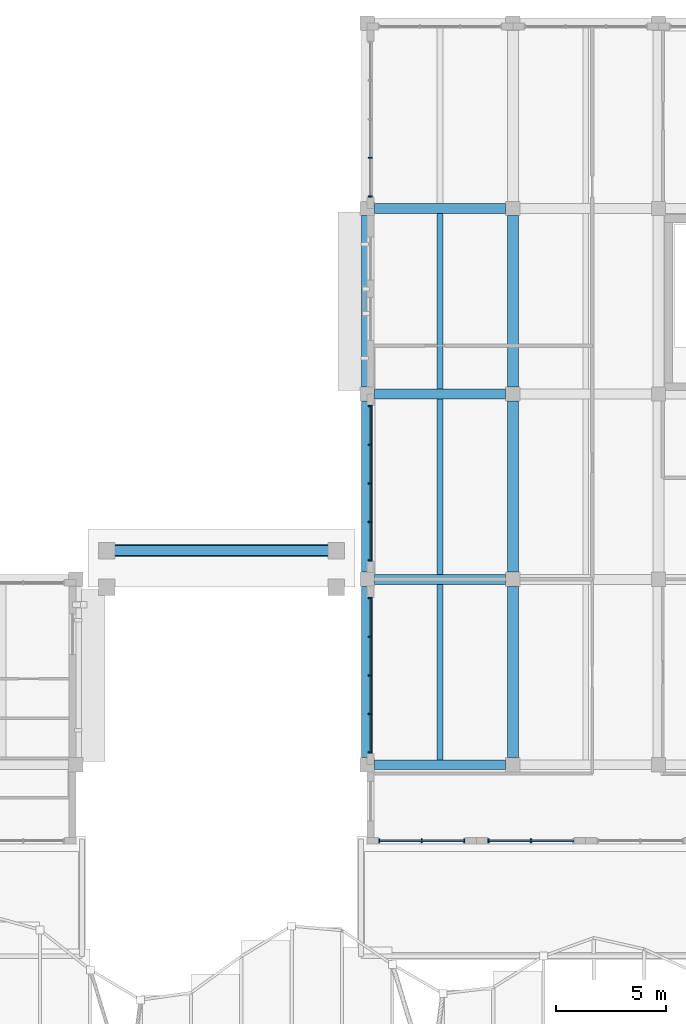
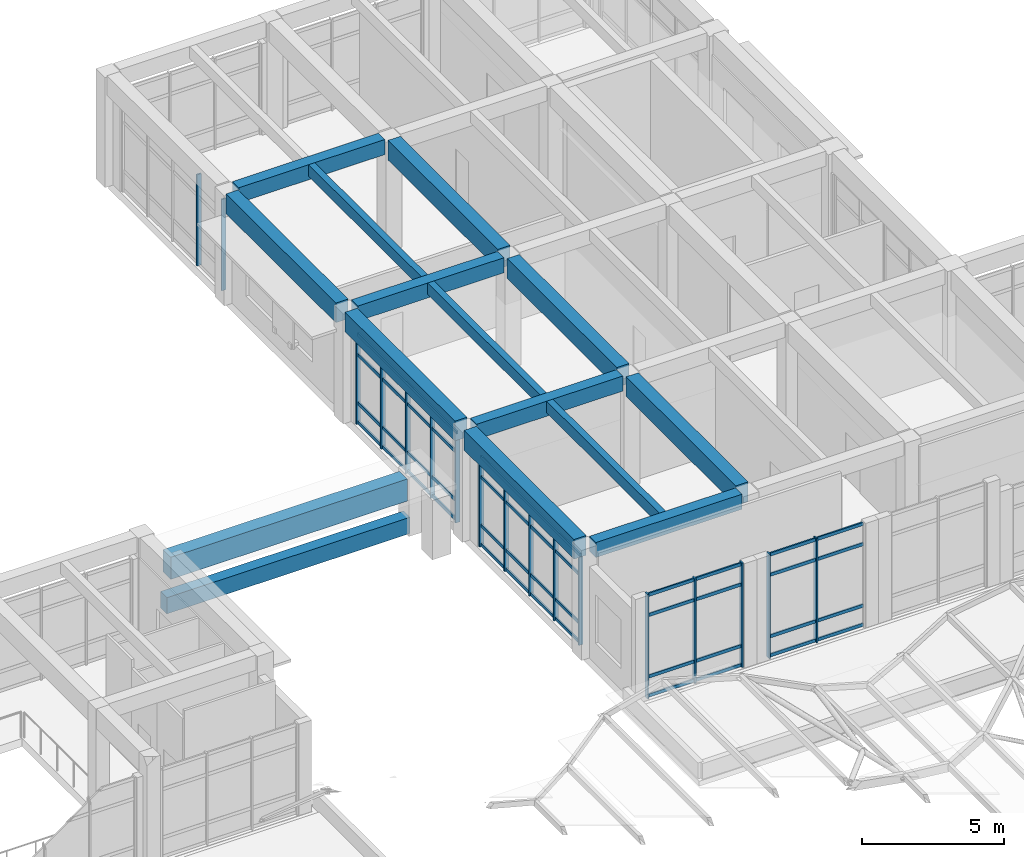
# One storey, part 23 of 79: 33 members, 15 beams, 5 elements without a shape of their own.
"""IFC4 building model written with IfcOpenShell, lengths in metres."""

from ifc_helpers import new_model, si_unit, direction, frame, origin, origin_2d, place, context, subcontext, project, spatial, rectangle, extrude, material, layer, layer_set, material_profile, profile_set, type_object, element, aggregate, save


model = new_model("IFC4")

# Units and contexts
model_context = context("Model", 3, precision=1e-05, world=origin(), true_north=direction((0.0, 1.0)))
body_context = subcontext(model_context, "Body", "Model", "MODEL_VIEW")
ifc_project = project(units=[si_unit("LENGTHUNIT", "METRE"), si_unit("AREAUNIT", "SQUARE_METRE"), si_unit("VOLUMEUNIT", "CUBIC_METRE"), si_unit("PLANEANGLEUNIT", "RADIAN"), si_unit("MASSUNIT", "GRAM", prefix="KILO")], contexts=[model_context])

# Site, building, storey
site_placement = place(None, origin())
site = spatial("IfcSite", under=ifc_project, at=site_placement, CompositionType="ELEMENT")
building_placement = place(site_placement, origin())
building = spatial("IfcBuilding", under=site, at=building_placement, Name="Kolvaren Faculty of Natural Sciences", CompositionType="ELEMENT")
storey_placement = place(building_placement, frame((0.0, 0.0, 10.199951171875)))
storey = spatial("IfcBuildingStorey", under=building, at=storey_placement, Name="L02", CompositionType="ELEMENT", Elevation=10.199951171875)

# Curtain wall, members
ifc_material_1 = material(Name="Thermally broken anodised aluminium framing", Category="aluminium")
ifc_layer = layer(ifc_material_1, 0.179931640625)
ifc_layer_set = layer_set([ifc_layer], Name="Thermally broken anodised aluminium framing")
curtain_wall_type = type_object("IfcCurtainWallType", Name="CommonsCurtainWall_CW02", PredefinedType="NOTDEFINED", material=ifc_layer_set)
curtain_wall_1_placement = place(storey_placement, origin())
curtain_wall_1 = element("IfcCurtainWall", 1, at=curtain_wall_1_placement, inside=storey, type_object=curtain_wall_type, Name="L02 unitised curtain wall CW-02 (CW-L02-087)", PredefinedType="NOTDEFINED")
ifc_material_profile_1 = material_profile(ifc_material_1, rectangle(XDim=0.06005859375, YDim=0.179931640625, at=origin_2d()), Name="ALU MUL 60x180")
ifc_profile_set_1 = profile_set([ifc_material_profile_1], Name="Thermally broken anodised aluminium framing")
member_type_1 = type_object("IfcMemberType", Name="CurtainMullion_60x180", PredefinedType="MULLION", material=ifc_profile_set_1)
member_1_placement = place(storey_placement, frame((126.425048828125, 72.35009765625, 0.0), z_axis=(0.0, 0.0, 1.0), x_axis=(-1.0, 0.0, 0.0)))
member_1 = element("IfcMember", 2, at=member_1_placement, type_object=member_type_1, Name="CW-L02-087 vertical mullion 2", PredefinedType="MULLION", context=body_context, shape_type="SweptSolid", body=[
    extrude(rectangle(XDim=0.06005859375, YDim=0.179931640625, at=origin_2d()), origin(), (0.0, 0.0, 1.0), 4.5),
])
member_2_placement = place(storey_placement, frame((124.5, 72.35009765625, 0.0), z_axis=(0.0, 0.0, 1.0), x_axis=(-1.0, 0.0, 0.0)))
member_2 = element("IfcMember", 3, at=member_2_placement, type_object=member_type_1, Name="CW-L02-087 vertical mullion 3", PredefinedType="MULLION", context=body_context, shape_type="SweptSolid", body=[
    extrude(rectangle(XDim=0.06005859375, YDim=0.179931640625, at=origin_2d()), origin(), (0.0, 0.0, 1.0), 4.5),
])

curtain_wall_2_placement = place(storey_placement, origin())
curtain_wall_2 = element("IfcCurtainWall", 4, at=curtain_wall_2_placement, inside=storey, type_object=curtain_wall_type, Name="L02 unitised curtain wall CW-02 (CW-L02-088)", PredefinedType="NOTDEFINED")
member_3_placement = place(storey_placement, frame((123.39990234375, 72.35009765625, 0.0), z_axis=(0.0, 0.0, 1.0), x_axis=(-1.0, 0.0, 0.0)))
member_3 = element("IfcMember", 5, at=member_3_placement, type_object=member_type_1, Name="CW-L02-088 vertical mullion 1", PredefinedType="MULLION", context=body_context, shape_type="SweptSolid", body=[
    extrude(rectangle(XDim=0.06005859375, YDim=0.179931640625, at=origin_2d()), origin(), (0.0, 0.0, 1.0), 4.5),
])
member_4_placement = place(storey_placement, frame((121.47509765625, 72.35009765625, 0.0), z_axis=(0.0, 0.0, 1.0), x_axis=(-1.0, 0.0, 0.0)))
member_4 = element("IfcMember", 6, at=member_4_placement, type_object=member_type_1, Name="CW-L02-088 vertical mullion 2", PredefinedType="MULLION", context=body_context, shape_type="SweptSolid", body=[
    extrude(rectangle(XDim=0.06005859375, YDim=0.179931640625, at=origin_2d()), origin(), (0.0, 0.0, 1.0), 4.5),
])
member_5_placement = place(storey_placement, frame((119.550048828125, 72.35009765625, 0.0), z_axis=(0.0, 0.0, 1.0), x_axis=(-1.0, 0.0, 0.0)))
member_5 = element("IfcMember", 7, at=member_5_placement, type_object=member_type_1, Name="CW-L02-088 vertical mullion 3", PredefinedType="MULLION", context=body_context, shape_type="SweptSolid", body=[
    extrude(rectangle(XDim=0.06005859375, YDim=0.179931640625, at=origin_2d()), origin(), (0.0, 0.0, 1.0), 4.5),
])

curtain_wall_3_placement = place(storey_placement, origin())
curtain_wall_3 = element("IfcCurtainWall", 8, at=curtain_wall_3_placement, inside=storey, type_object=curtain_wall_type, Name="L02 unitised curtain wall CW-02 (CW-L02-089)", PredefinedType="NOTDEFINED")
member_6_placement = place(storey_placement, frame((119.14990234375, 76.35009765625, 0.0), z_axis=(0.0, 0.0, 1.0), x_axis=(0.0, 1.0, 0.0)))
member_6 = element("IfcMember", 9, at=member_6_placement, type_object=member_type_1, Name="CW-L02-089 vertical mullion 1", PredefinedType="MULLION", context=body_context, shape_type="SweptSolid", body=[
    extrude(rectangle(XDim=0.06005859375, YDim=0.179931640625, at=origin_2d()), origin(), (0.0, 0.0, 1.0), 3.93505859375),
])
member_7_placement = place(storey_placement, frame((119.14990234375, 78.10009765625, 0.0), z_axis=(0.0, 0.0, 1.0), x_axis=(0.0, 1.0, 0.0)))
member_7 = element("IfcMember", 10, at=member_7_placement, type_object=member_type_1, Name="CW-L02-089 vertical mullion 2", PredefinedType="MULLION", context=body_context, shape_type="SweptSolid", body=[
    extrude(rectangle(XDim=0.06005859375, YDim=0.179931640625, at=origin_2d()), origin(), (0.0, 0.0, 1.0), 3.93505859375),
])
member_8_placement = place(storey_placement, frame((119.14990234375, 79.85009765625, 0.0), z_axis=(0.0, 0.0, 1.0), x_axis=(0.0, 1.0, 0.0)))
member_8 = element("IfcMember", 11, at=member_8_placement, type_object=member_type_1, Name="CW-L02-089 vertical mullion 3", PredefinedType="MULLION", context=body_context, shape_type="SweptSolid", body=[
    extrude(rectangle(XDim=0.06005859375, YDim=0.179931640625, at=origin_2d()), origin(), (0.0, 0.0, 1.0), 3.93505859375),
])
member_9_placement = place(storey_placement, frame((119.14990234375, 81.60009765625, 0.0), z_axis=(0.0, 0.0, 1.0), x_axis=(0.0, 1.0, 0.0)))
member_9 = element("IfcMember", 12, at=member_9_placement, type_object=member_type_1, Name="CW-L02-089 vertical mullion 4", PredefinedType="MULLION", context=body_context, shape_type="SweptSolid", body=[
    extrude(rectangle(XDim=0.06005859375, YDim=0.179931640625, at=origin_2d()), origin(), (0.0, 0.0, 1.0), 3.93505859375),
])
member_10_placement = place(storey_placement, frame((119.14990234375, 83.35009765625, 0.0), z_axis=(0.0, 0.0, 1.0), x_axis=(0.0, 1.0, 0.0)))
member_10 = element("IfcMember", 13, at=member_10_placement, type_object=member_type_1, Name="CW-L02-089 vertical mullion 5", PredefinedType="MULLION", context=body_context, shape_type="SweptSolid", body=[
    extrude(rectangle(XDim=0.06005859375, YDim=0.179931640625, at=origin_2d()), origin(), (0.0, 0.0, 1.0), 3.93505859375),
])

curtain_wall_4_placement = place(storey_placement, origin())
curtain_wall_4 = element("IfcCurtainWall", 14, at=curtain_wall_4_placement, inside=storey, type_object=curtain_wall_type, Name="L02 unitised curtain wall CW-02 (CW-L02-090)", PredefinedType="NOTDEFINED")
member_11_placement = place(storey_placement, frame((119.14990234375, 85.050048828125, 0.0), z_axis=(0.0, 0.0, 1.0), x_axis=(0.0, 1.0, 0.0)))
member_11 = element("IfcMember", 15, at=member_11_placement, type_object=member_type_1, Name="CW-L02-090 vertical mullion 1", PredefinedType="MULLION", context=body_context, shape_type="SweptSolid", body=[
    extrude(rectangle(XDim=0.06005859375, YDim=0.179931640625, at=origin_2d()), origin(), (0.0, 0.0, 1.0), 3.93505859375),
])
member_12_placement = place(storey_placement, frame((119.14990234375, 86.800048828125, 0.0), z_axis=(0.0, 0.0, 1.0), x_axis=(0.0, 1.0, 0.0)))
member_12 = element("IfcMember", 16, at=member_12_placement, type_object=member_type_1, Name="CW-L02-090 vertical mullion 2", PredefinedType="MULLION", context=body_context, shape_type="SweptSolid", body=[
    extrude(rectangle(XDim=0.06005859375, YDim=0.179931640625, at=origin_2d()), origin(), (0.0, 0.0, 1.0), 3.93505859375),
])
member_13_placement = place(storey_placement, frame((119.14990234375, 88.550048828125, 0.0), z_axis=(0.0, 0.0, 1.0), x_axis=(0.0, 1.0, 0.0)))
member_13 = element("IfcMember", 17, at=member_13_placement, type_object=member_type_1, Name="CW-L02-090 vertical mullion 3", PredefinedType="MULLION", context=body_context, shape_type="SweptSolid", body=[
    extrude(rectangle(XDim=0.06005859375, YDim=0.179931640625, at=origin_2d()), origin(), (0.0, 0.0, 1.0), 3.93505859375),
])
member_14_placement = place(storey_placement, frame((119.14990234375, 90.300048828125, 0.0), z_axis=(0.0, 0.0, 1.0), x_axis=(0.0, 1.0, 0.0)))
member_14 = element("IfcMember", 18, at=member_14_placement, type_object=member_type_1, Name="CW-L02-090 vertical mullion 4", PredefinedType="MULLION", context=body_context, shape_type="SweptSolid", body=[
    extrude(rectangle(XDim=0.06005859375, YDim=0.179931640625, at=origin_2d()), origin(), (0.0, 0.0, 1.0), 3.93505859375),
])
member_15_placement = place(storey_placement, frame((119.14990234375, 92.050048828125, 0.0), z_axis=(0.0, 0.0, 1.0), x_axis=(0.0, 1.0, 0.0)))
member_15 = element("IfcMember", 19, at=member_15_placement, type_object=member_type_1, Name="CW-L02-090 vertical mullion 5", PredefinedType="MULLION", context=body_context, shape_type="SweptSolid", body=[
    extrude(rectangle(XDim=0.06005859375, YDim=0.179931640625, at=origin_2d()), origin(), (0.0, 0.0, 1.0), 3.93505859375),
])

curtain_wall_5_placement = place(storey_placement, origin())
curtain_wall_5 = element("IfcCurtainWall", 20, at=curtain_wall_5_placement, inside=storey, type_object=curtain_wall_type, Name="L02 unitised curtain wall CW-02 (CW-L02-091)", PredefinedType="NOTDEFINED")
member_16_placement = place(storey_placement, frame((119.14990234375, 101.550048828125, 0.0), z_axis=(0.0, 0.0, 1.0), x_axis=(0.0, 1.0, 0.0)))
member_16 = element("IfcMember", 21, at=member_16_placement, type_object=member_type_1, Name="CW-L02-091 vertical mullion 1", PredefinedType="MULLION", context=body_context, shape_type="SweptSolid", body=[
    extrude(rectangle(XDim=0.06005859375, YDim=0.179931640625, at=origin_2d()), origin(), (0.0, 0.0, 1.0), 3.93505859375),
])
member_17_placement = place(storey_placement, frame((119.14990234375, 103.300048828125, 0.0), z_axis=(0.0, 0.0, 1.0), x_axis=(0.0, 1.0, 0.0)))
member_17 = element("IfcMember", 22, at=member_17_placement, type_object=member_type_1, Name="CW-L02-091 vertical mullion 2", PredefinedType="MULLION", context=body_context, shape_type="SweptSolid", body=[
    extrude(rectangle(XDim=0.06005859375, YDim=0.179931640625, at=origin_2d()), origin(), (0.0, 0.0, 1.0), 3.93505859375),
])
aggregate(curtain_wall_5, [member_16, member_17])

# Member
ifc_material_profile_2 = material_profile(ifc_material_1, rectangle(XDim=0.06005859375, YDim=0.139892578125, at=origin_2d()), Name="ALU TRN 60x140")
ifc_profile_set_2 = profile_set([ifc_material_profile_2], Name="Thermally broken anodised aluminium framing")
member_type_2 = type_object("IfcMemberType", Name="CurtainTransom_60x140", PredefinedType="USERDEFINED", material=ifc_profile_set_2)
member_18_placement = place(storey_placement, frame((128.35009765625, 72.35009765625, 0.080078125), z_axis=(-1.0, 0.0, 0.0), x_axis=(0.0, -1.0, 0.0)))
member_18 = element("IfcMember", 23, at=member_18_placement, type_object=member_type_2, Name="CW-L02-087 horizontal transom 1", ObjectType="TRANSOM", PredefinedType="USERDEFINED", context=body_context, shape_type="SweptSolid", body=[
    extrude(rectangle(XDim=0.06005859375, YDim=0.139892578125, at=origin_2d()), origin(), (0.0, 0.0, 1.0), 3.85009765625),
])

member_19_placement = place(storey_placement, frame((128.35009765625, 72.35009765625, 0.900146484375), z_axis=(-1.0, 0.0, 0.0), x_axis=(0.0, -1.0, 0.0)))
member_19 = element("IfcMember", 24, at=member_19_placement, type_object=member_type_2, Name="CW-L02-087 horizontal transom 2", ObjectType="TRANSOM", PredefinedType="USERDEFINED", context=body_context, shape_type="SweptSolid", body=[
    extrude(rectangle(XDim=0.06005859375, YDim=0.139892578125, at=origin_2d()), origin(), (0.0, 0.0, 1.0), 3.85009765625),
])

member_20_placement = place(storey_placement, frame((128.35009765625, 72.35009765625, 3.550048828125), z_axis=(-1.0, 0.0, 0.0), x_axis=(0.0, -1.0, 0.0)))
member_20 = element("IfcMember", 25, at=member_20_placement, type_object=member_type_2, Name="CW-L02-087 horizontal transom 3", ObjectType="TRANSOM", PredefinedType="USERDEFINED", context=body_context, shape_type="SweptSolid", body=[
    extrude(rectangle(XDim=0.06005859375, YDim=0.139892578125, at=origin_2d()), origin(), (0.0, 0.0, 1.0), 3.85009765625),
])

member_21_placement = place(storey_placement, frame((128.35009765625, 72.35009765625, 4.420166015625), z_axis=(-1.0, 0.0, 0.0), x_axis=(0.0, -1.0, 0.0)))
member_21 = element("IfcMember", 26, at=member_21_placement, type_object=member_type_2, Name="CW-L02-087 horizontal transom 4", ObjectType="TRANSOM", PredefinedType="USERDEFINED", context=body_context, shape_type="SweptSolid", body=[
    extrude(rectangle(XDim=0.06005859375, YDim=0.139892578125, at=origin_2d()), origin(), (0.0, 0.0, 1.0), 3.85009765625),
])

aggregate(curtain_wall_1, [member_1, member_2, member_18, member_19, member_20, member_21])

member_22_placement = place(storey_placement, frame((123.39990234375, 72.35009765625, 0.080078125), z_axis=(-1.0, 0.0, 0.0), x_axis=(0.0, -1.0, 0.0)))
member_22 = element("IfcMember", 27, at=member_22_placement, type_object=member_type_2, Name="CW-L02-088 horizontal transom 1", ObjectType="TRANSOM", PredefinedType="USERDEFINED", context=body_context, shape_type="SweptSolid", body=[
    extrude(rectangle(XDim=0.06005859375, YDim=0.139892578125, at=origin_2d()), origin(), (0.0, 0.0, 1.0), 3.849853515625),
])

member_23_placement = place(storey_placement, frame((123.39990234375, 72.35009765625, 0.900146484375), z_axis=(-1.0, 0.0, 0.0), x_axis=(0.0, -1.0, 0.0)))
member_23 = element("IfcMember", 28, at=member_23_placement, type_object=member_type_2, Name="CW-L02-088 horizontal transom 2", ObjectType="TRANSOM", PredefinedType="USERDEFINED", context=body_context, shape_type="SweptSolid", body=[
    extrude(rectangle(XDim=0.06005859375, YDim=0.139892578125, at=origin_2d()), origin(), (0.0, 0.0, 1.0), 3.849853515625),
])

member_24_placement = place(storey_placement, frame((123.39990234375, 72.35009765625, 3.550048828125), z_axis=(-1.0, 0.0, 0.0), x_axis=(0.0, -1.0, 0.0)))
member_24 = element("IfcMember", 29, at=member_24_placement, type_object=member_type_2, Name="CW-L02-088 horizontal transom 3", ObjectType="TRANSOM", PredefinedType="USERDEFINED", context=body_context, shape_type="SweptSolid", body=[
    extrude(rectangle(XDim=0.06005859375, YDim=0.139892578125, at=origin_2d()), origin(), (0.0, 0.0, 1.0), 3.849853515625),
])

member_25_placement = place(storey_placement, frame((123.39990234375, 72.35009765625, 4.420166015625), z_axis=(-1.0, 0.0, 0.0), x_axis=(0.0, -1.0, 0.0)))
member_25 = element("IfcMember", 30, at=member_25_placement, type_object=member_type_2, Name="CW-L02-088 horizontal transom 4", ObjectType="TRANSOM", PredefinedType="USERDEFINED", context=body_context, shape_type="SweptSolid", body=[
    extrude(rectangle(XDim=0.06005859375, YDim=0.139892578125, at=origin_2d()), origin(), (0.0, 0.0, 1.0), 3.849853515625),
])

aggregate(curtain_wall_2, [member_3, member_4, member_5, member_22, member_23, member_24, member_25])

member_26_placement = place(storey_placement, frame((119.14990234375, 76.35009765625, 0.080078125), z_axis=(0.0, 1.0, 0.0), x_axis=(-1.0, 0.0, 0.0)))
member_26 = element("IfcMember", 31, at=member_26_placement, type_object=member_type_2, Name="CW-L02-089 horizontal transom 1", ObjectType="TRANSOM", PredefinedType="USERDEFINED", context=body_context, shape_type="SweptSolid", body=[
    extrude(rectangle(XDim=0.06005859375, YDim=0.139892578125, at=origin_2d()), origin(), (0.0, 0.0, 1.0), 7.0),
])

member_27_placement = place(storey_placement, frame((119.14990234375, 76.35009765625, 0.900146484375), z_axis=(0.0, 1.0, 0.0), x_axis=(-1.0, 0.0, 0.0)))
member_27 = element("IfcMember", 32, at=member_27_placement, type_object=member_type_2, Name="CW-L02-089 horizontal transom 2", ObjectType="TRANSOM", PredefinedType="USERDEFINED", context=body_context, shape_type="SweptSolid", body=[
    extrude(rectangle(XDim=0.06005859375, YDim=0.139892578125, at=origin_2d()), origin(), (0.0, 0.0, 1.0), 7.0),
])

member_28_placement = place(storey_placement, frame((119.14990234375, 76.35009765625, 2.985107421875), z_axis=(0.0, 1.0, 0.0), x_axis=(-1.0, 0.0, 0.0)))
member_28 = element("IfcMember", 33, at=member_28_placement, type_object=member_type_2, Name="CW-L02-089 horizontal transom 3", ObjectType="TRANSOM", PredefinedType="USERDEFINED", context=body_context, shape_type="SweptSolid", body=[
    extrude(rectangle(XDim=0.06005859375, YDim=0.139892578125, at=origin_2d()), origin(), (0.0, 0.0, 1.0), 7.0),
])

member_29_placement = place(storey_placement, frame((119.14990234375, 76.35009765625, 3.85498046875), z_axis=(0.0, 1.0, 0.0), x_axis=(-1.0, 0.0, 0.0)))
member_29 = element("IfcMember", 34, at=member_29_placement, type_object=member_type_2, Name="CW-L02-089 horizontal transom 4", ObjectType="TRANSOM", PredefinedType="USERDEFINED", context=body_context, shape_type="SweptSolid", body=[
    extrude(rectangle(XDim=0.06005859375, YDim=0.139892578125, at=origin_2d()), origin(), (0.0, 0.0, 1.0), 7.0),
])

aggregate(curtain_wall_3, [member_6, member_7, member_8, member_9, member_10, member_26, member_27, member_28, member_29])

member_30_placement = place(storey_placement, frame((119.14990234375, 85.050048828125, 0.080078125), z_axis=(0.0, 1.0, 0.0), x_axis=(-1.0, 0.0, 0.0)))
member_30 = element("IfcMember", 35, at=member_30_placement, type_object=member_type_2, Name="CW-L02-090 horizontal transom 1", ObjectType="TRANSOM", PredefinedType="USERDEFINED", context=body_context, shape_type="SweptSolid", body=[
    extrude(rectangle(XDim=0.06005859375, YDim=0.139892578125, at=origin_2d()), origin(), (0.0, 0.0, 1.0), 7.0),
])

member_31_placement = place(storey_placement, frame((119.14990234375, 85.050048828125, 0.900146484375), z_axis=(0.0, 1.0, 0.0), x_axis=(-1.0, 0.0, 0.0)))
member_31 = element("IfcMember", 36, at=member_31_placement, type_object=member_type_2, Name="CW-L02-090 horizontal transom 2", ObjectType="TRANSOM", PredefinedType="USERDEFINED", context=body_context, shape_type="SweptSolid", body=[
    extrude(rectangle(XDim=0.06005859375, YDim=0.139892578125, at=origin_2d()), origin(), (0.0, 0.0, 1.0), 7.0),
])

member_32_placement = place(storey_placement, frame((119.14990234375, 85.050048828125, 2.985107421875), z_axis=(0.0, 1.0, 0.0), x_axis=(-1.0, 0.0, 0.0)))
member_32 = element("IfcMember", 37, at=member_32_placement, type_object=member_type_2, Name="CW-L02-090 horizontal transom 3", ObjectType="TRANSOM", PredefinedType="USERDEFINED", context=body_context, shape_type="SweptSolid", body=[
    extrude(rectangle(XDim=0.06005859375, YDim=0.139892578125, at=origin_2d()), origin(), (0.0, 0.0, 1.0), 7.0),
])

member_33_placement = place(storey_placement, frame((119.14990234375, 85.050048828125, 3.85498046875), z_axis=(0.0, 1.0, 0.0), x_axis=(-1.0, 0.0, 0.0)))
member_33 = element("IfcMember", 38, at=member_33_placement, type_object=member_type_2, Name="CW-L02-090 horizontal transom 4", ObjectType="TRANSOM", PredefinedType="USERDEFINED", context=body_context, shape_type="SweptSolid", body=[
    extrude(rectangle(XDim=0.06005859375, YDim=0.139892578125, at=origin_2d()), origin(), (0.0, 0.0, 1.0), 7.0),
])

aggregate(curtain_wall_4, [member_11, member_12, member_13, member_14, member_15, member_30, member_31, member_32, member_33])

# Beams
ifc_material_2 = material(Name="Concrete C35/45", Category="concrete")
ifc_material_profile_3 = material_profile(ifc_material_2, rectangle(XDim=0.449951171875, YDim=0.64990234375, at=origin_2d()), Name="RC BM 450x650")
ifc_profile_set_3 = profile_set([ifc_material_profile_3], Name="Concrete C35/45")
beam_type_1 = type_object("IfcBeamType", Name="GridBeam_450x650", PredefinedType="BEAM", material=ifc_profile_set_3)
for number, where, z_axis, x_axis, name in (
    (39, (119.324951171875, 75.800048828125, 4.47509765625), (1.0, 0.0, 0.0), (0.0, 1.0, 0.0), "L02 beam BM-65 on grid K"),
    (40, (119.324951171875, 84.199951171875, 4.47509765625), (1.0, 0.0, 0.0), (0.0, 1.0, 0.0), "L02 beam BM-65 on grid L"),
    (41, (119.324951171875, 92.60009765625, 4.47509765625), (1.0, 0.0, 0.0), (0.0, 1.0, 0.0), "L02 beam BM-65 on grid M"),
    (42, (119.324951171875, 101.0, 4.47509765625), (1.0, 0.0, 0.0), (0.0, 1.0, 0.0), "L02 beam BM-65 on grid N"),
):
    element("IfcBeam", number, at=place(storey_placement, frame(where, z_axis=z_axis, x_axis=x_axis)), inside=storey, type_object=beam_type_1, Name=name, PredefinedType="BEAM", context=body_context, shape_type="SweptSolid", body=[
        extrude(rectangle(XDim=0.449951171875, YDim=0.64990234375, at=origin_2d()), origin(), (0.0, 0.0, 1.0), 5.949951171875),
    ])
ifc_material_3 = material(Name="Concrete C40/50", Category="concrete")
ifc_material_profile_4 = material_profile(ifc_material_3, rectangle(XDim=0.550048828125, YDim=0.949951171875, at=origin_2d()), Name="RC BM 550x950")
ifc_profile_set_4 = profile_set([ifc_material_profile_4], Name="Concrete C40/50")
beam_type_2 = type_object("IfcBeamType", Name="HallGirder_550x950", PredefinedType="BEAM", material=ifc_profile_set_4)
beam_1_placement = place(storey_placement, frame((107.580078125, 85.5, 1.949951171875), z_axis=(1.0, 0.0, 0.0), x_axis=(0.0, 1.0, 0.0)))
element("IfcBeam", 43, at=beam_1_placement, inside=storey, type_object=beam_type_2, Name="North-East Square-to-Street Breezeway Pishtaq Portal monumental portal lintel girder", PredefinedType="BEAM", context=body_context, shape_type="SweptSolid", body=[
    extrude(rectangle(XDim=0.550048828125, YDim=0.949951171875, at=origin_2d()), origin(), (0.0, 0.0, 1.0), 9.639892578125),
])
ifc_material_profile_5 = material_profile(ifc_material_2, rectangle(XDim=0.260009765625, YDim=0.5, at=origin_2d()), Name="RC JST 260x500")
ifc_profile_set_5 = profile_set([ifc_material_profile_5], Name="Concrete C35/45")
beam_type_3 = type_object("IfcBeamType", Name="LabRibJoist_260x500", PredefinedType="JOIST", material=ifc_profile_set_5)
beam_2_placement = place(storey_placement, frame((122.300048828125, 76.02490234375, 4.550048828125), z_axis=(0.0, 1.0, 0.0), x_axis=(-1.0, 0.0, 0.0)))
element("IfcBeam", 44, at=beam_2_placement, inside=storey, type_object=beam_type_3, Name="L02 ribbed laboratory slab joist JS-50", PredefinedType="JOIST", context=body_context, shape_type="SweptSolid", body=[
    extrude(rectangle(XDim=0.260009765625, YDim=0.5, at=origin_2d()), origin(), (0.0, 0.0, 1.0), 7.9501953125),
])
for number, where, z_axis, x_axis, name in (
    (45, (122.300048828125, 84.425048828125, 4.550048828125), (0.0, 1.0, 0.0), (-1.0, 0.0, 0.0), "L02 ribbed laboratory slab joist JS-50"),
    (46, (122.300048828125, 92.824951171875, 4.550048828125), (0.0, 1.0, 0.0), (-1.0, 0.0, 0.0), "L02 ribbed laboratory slab joist JS-50"),
):
    element("IfcBeam", number, at=place(storey_placement, frame(where, z_axis=z_axis, x_axis=x_axis)), inside=storey, type_object=beam_type_3, Name=name, PredefinedType="JOIST", context=body_context, shape_type="SweptSolid", body=[
        extrude(rectangle(XDim=0.260009765625, YDim=0.5, at=origin_2d()), origin(), (0.0, 0.0, 1.0), 7.949951171875),
    ])
ifc_material_profile_6 = material_profile(ifc_material_2, rectangle(XDim=0.449951171875, YDim=0.699951171875, at=origin_2d()), Name="RC SP 450x700")
ifc_profile_set_6 = profile_set([ifc_material_profile_6], Name="Concrete C35/45")
beam_type_4 = type_object("IfcBeamType", Name="PerimeterSpandrel_450x700", PredefinedType="SPANDREL", material=ifc_profile_set_6)
beam_3_placement = place(storey_placement, frame((107.449951171875, 85.5, 0.35009765625), z_axis=(1.0, 0.0, 0.0), x_axis=(0.0, 1.0, 0.0)))
element("IfcBeam", 47, at=beam_3_placement, inside=storey, type_object=beam_type_4, Name="North-East Square-to-Street Breezeway Pishtaq Portal pointed-arch crown spandrel beam", PredefinedType="SPANDREL", context=body_context, shape_type="SweptSolid", body=[
    extrude(rectangle(XDim=0.449951171875, YDim=0.699951171875, at=origin_2d()), origin(), (0.0, 0.0, 1.0), 9.900146484375),
])
ifc_material_profile_7 = material_profile(ifc_material_2, rectangle(XDim=0.5, YDim=0.85009765625, at=origin_2d()), Name="RC BM 500x850")
ifc_profile_set_7 = profile_set([ifc_material_profile_7], Name="Concrete C35/45")
beam_type_5 = type_object("IfcBeamType", Name="PrimaryGirder_500x850", PredefinedType="BEAM", material=ifc_profile_set_7)
for number, where, z_axis, x_axis, name in (
    (48, (119.0, 76.125, 4.375), (0.0, 1.0, 0.0), (-1.0, 0.0, 0.0), "L02 girder BG-85 on grid 19"),
    (49, (119.0, 84.52490234375, 4.375), (0.0, 1.0, 0.0), (-1.0, 0.0, 0.0), "L02 girder BG-85 on grid 19"),
    (50, (119.0, 92.925048828125, 4.375), (0.0, 1.0, 0.0), (-1.0, 0.0, 0.0), "L02 girder BG-85 on grid 19"),
    (51, (125.60009765625, 76.125, 4.375), (0.0, 1.0, 0.0), (-1.0, 0.0, 0.0), "L02 girder BG-85 on grid 20"),
    (52, (125.60009765625, 84.52490234375, 4.375), (0.0, 1.0, 0.0), (-1.0, 0.0, 0.0), "L02 girder BG-85 on grid 20"),
    (53, (125.60009765625, 92.925048828125, 4.375), (0.0, 1.0, 0.0), (-1.0, 0.0, 0.0), "L02 girder BG-85 on grid 20"),
):
    element("IfcBeam", number, at=place(storey_placement, frame(where, z_axis=z_axis, x_axis=x_axis)), inside=storey, type_object=beam_type_5, Name=name, PredefinedType="BEAM", context=body_context, shape_type="SweptSolid", body=[
        extrude(rectangle(XDim=0.5, YDim=0.85009765625, at=origin_2d()), origin(), (0.0, 0.0, 1.0), 7.75),
    ])

save(model, "model.ifc")
